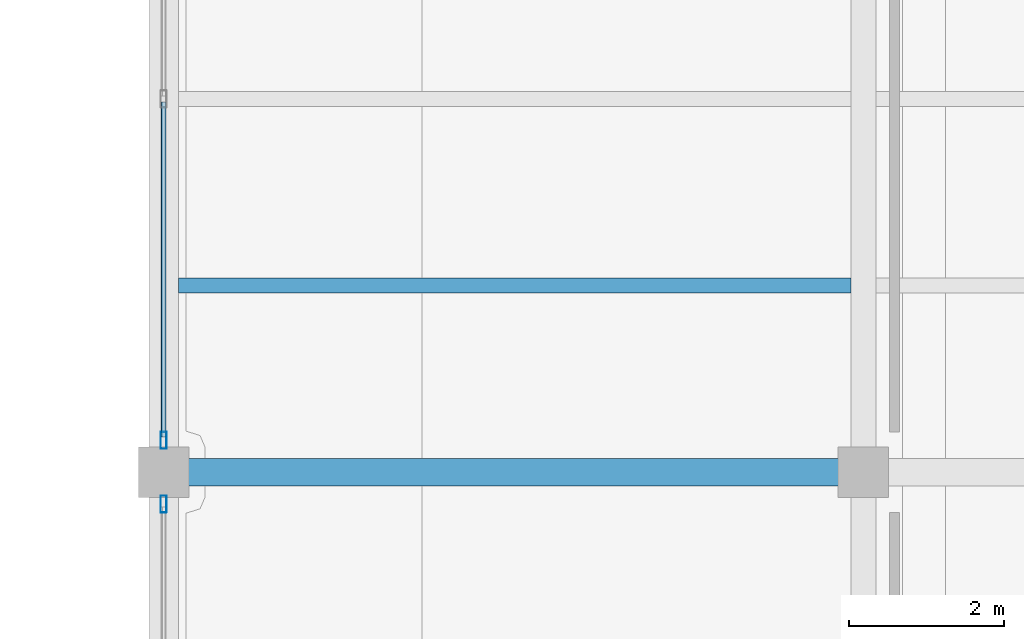
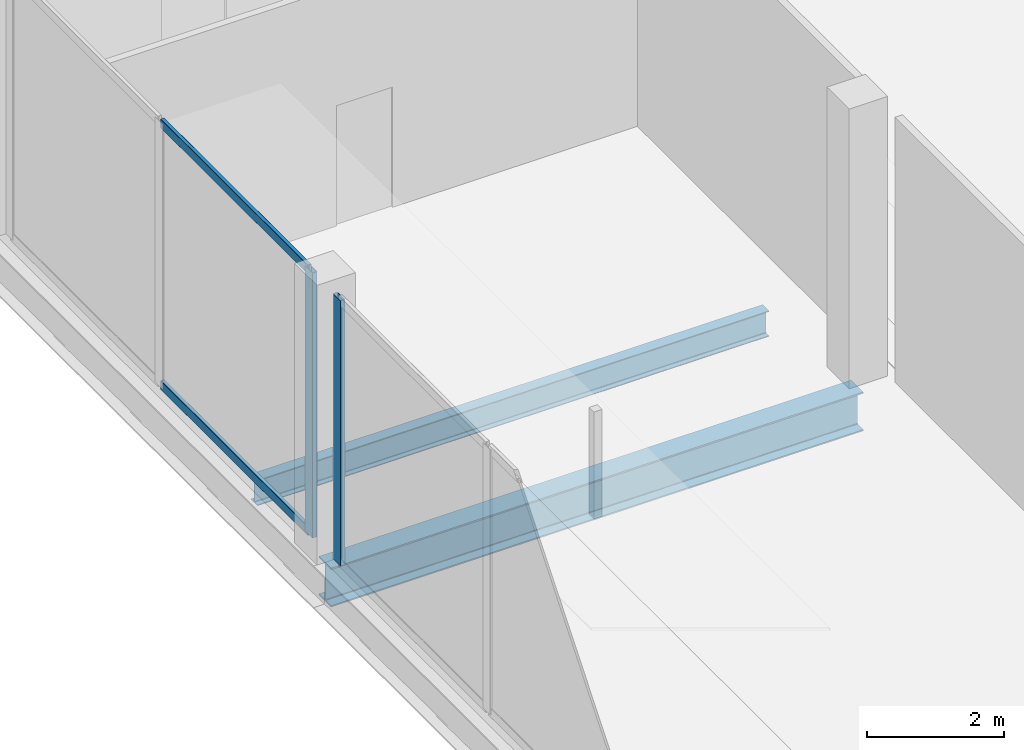
# One storey, part 5 of 46: 4 members, 2 beams, 2 elements without a shape of their own.
"""IFC4 building model written with IfcOpenShell, lengths in metres."""

from ifc_helpers import new_model, si_unit, direction, frame, origin, origin_2d, place, context, subcontext, project, spatial, hollow_rectangle, i_section, extrude, material, layer, layer_set, material_profile, profile_set, type_object, element, aggregate, save


model = new_model("IFC4")

# Units and contexts
model_context = context("Model", 3, precision=1e-05, world=origin(), true_north=direction((0.0, 1.0)))
body_context = subcontext(model_context, "Body", "Model", "MODEL_VIEW")
ifc_project = project(units=[si_unit("LENGTHUNIT", "METRE"), si_unit("AREAUNIT", "SQUARE_METRE"), si_unit("VOLUMEUNIT", "CUBIC_METRE"), si_unit("PLANEANGLEUNIT", "RADIAN"), si_unit("MASSUNIT", "GRAM", prefix="KILO")], contexts=[model_context])

# Site, building, storey
site_placement = place(None, origin())
site = spatial("IfcSite", under=ifc_project, at=site_placement, CompositionType="ELEMENT")
building_placement = place(site_placement, origin())
building = spatial("IfcBuilding", under=site, at=building_placement, Name="Qorvath Tower", CompositionType="ELEMENT")
storey_placement = place(building_placement, frame((0.0, 0.0, 17.0)))
storey = spatial("IfcBuildingStorey", under=building, at=storey_placement, Name="L03", CompositionType="ELEMENT", Elevation=17.0)

# Beams
ifc_material_1 = material(Name="Steel ASTM A992 Grade 50", Category="steel")
ifc_material_profile_1 = material_profile(ifc_material_1, i_section(OverallWidth=0.35595703125, OverallDepth=0.696044921875, WebThickness=0.015380859375, FlangeThickness=0.02490234375, FilletRadius=0.01806640625, at=origin_2d()), Name="W27x146")
ifc_profile_set_1 = profile_set([ifc_material_profile_1], Name="Steel ASTM A992 Grade 50")
beam_type_1 = type_object("IfcBeamType", Name="BM-FG4", PredefinedType="BEAM", material=ifc_profile_set_1)
beam_1_placement = place(storey_placement, frame((32.39990234375, -9.60009765625, -0.60791015625), z_axis=(1.0, 0.0, 0.0), x_axis=(0.0, 1.0, 0.0)))
element("IfcBeam", 1, at=beam_1_placement, inside=storey, type_object=beam_type_1, Name="Library E-W Girder L03-4-1", PredefinedType="BEAM", context=body_context, shape_type="SweptSolid", body=[
    extrude(i_section(OverallWidth=0.35595703125, OverallDepth=0.696044921875, WebThickness=0.015380859375, FlangeThickness=0.02490234375, FilletRadius=0.01806640625, at=origin_2d()), origin(), (0.0, 0.0, 1.0), 9.0),
])
ifc_material_2 = material(Name="Steel ASTM A992 Grade 50", Category="steel")
ifc_material_profile_2 = material_profile(ifc_material_2, i_section(OverallWidth=0.18994140625, OverallDepth=0.45703125, WebThickness=0.009033203125, FlangeThickness=0.014404296875, FilletRadius=0.011962890625, at=origin_2d()), Name="W18x50")
ifc_profile_set_2 = profile_set([ifc_material_profile_2], Name="Steel ASTM A992 Grade 50")
beam_type_2 = type_object("IfcBeamType", Name="BM-FJ2", PredefinedType="JOIST", material=ifc_profile_set_2)
beam_2_placement = place(storey_placement, frame((32.58837890625, -7.199951171875, -0.488525390625), z_axis=(1.0, 0.0, 0.0), x_axis=(0.0, 1.0, 0.0)))
element("IfcBeam", 2, at=beam_2_placement, inside=storey, type_object=beam_type_2, Name="Library Stack Joist L03-4.1-1", PredefinedType="JOIST", context=body_context, shape_type="SweptSolid", body=[
    extrude(i_section(OverallWidth=0.18994140625, OverallDepth=0.45703125, WebThickness=0.009033203125, FlangeThickness=0.014404296875, FilletRadius=0.011962890625, at=origin_2d()), origin(), (0.0, 0.0, 1.0), 8.651123046875),
])

# Curtain wall, member
ifc_material_3 = material(Name="Anodised aluminium and triple low-E glass", Category="aluminium")
ifc_layer = layer(ifc_material_3, 0.179931640625)
ifc_layer_set = layer_set([ifc_layer], Name="CW-SYS-6")
curtain_wall_type = type_object("IfcCurtainWallType", Name="CW-SYS-6", PredefinedType="NOTDEFINED", material=ifc_layer_set)
curtain_wall_1_placement = place(storey_placement, origin())
curtain_wall_1 = element("IfcCurtainWall", 3, at=curtain_wall_1_placement, inside=storey, type_object=curtain_wall_type, Name="Curtain Wall CW-6 CW-LIB-W-L03-3", PredefinedType="NOTDEFINED")
ifc_material_4 = material(Name="Anodised aluminium 6063-T6", Category="aluminium")
ifc_material_profile_3 = material_profile(ifc_material_4, hollow_rectangle(XDim=0.080078125, YDim=0.219970703125, WallThickness=0.00439453125, InnerFilletRadius=0.00439453125, OuterFilletRadius=0.009033203125, at=origin_2d()), Name="CWM LIB 220x80")
ifc_profile_set_3 = profile_set([ifc_material_profile_3], Name="Anodised aluminium 6063-T6")
member_type_1 = type_object("IfcMemberType", Name="CWM-LIB", PredefinedType="MULLION", material=ifc_profile_set_3)
member_1_placement = place(storey_placement, frame((32.39990234375, -10.010009765625, 0.0), z_axis=(0.0, 0.0, 1.0), x_axis=(-1.0, 0.0, 0.0)))
member_1 = element("IfcMember", 4, at=member_1_placement, type_object=member_type_1, Name="CW-6 mullion 3", PredefinedType="MULLION", context=body_context, shape_type="SweptSolid", body=[
    extrude(hollow_rectangle(XDim=0.080078125, YDim=0.219970703125, WallThickness=0.00439453125, InnerFilletRadius=0.00439453125, OuterFilletRadius=0.009033203125, at=origin_2d()), origin(), (0.0, 0.0, 1.0), 4.739990234375),
])
aggregate(curtain_wall_1, [member_1])

# Curtain wall, members
curtain_wall_2_placement = place(storey_placement, origin())
curtain_wall_2 = element("IfcCurtainWall", 5, at=curtain_wall_2_placement, inside=storey, type_object=curtain_wall_type, Name="Curtain Wall CW-6 CW-LIB-W-L03-4", PredefinedType="NOTDEFINED")
member_2_placement = place(storey_placement, frame((32.39990234375, -9.18994140625, 0.0), z_axis=(0.0, 0.0, 1.0), x_axis=(-1.0, 0.0, 0.0)))
member_2 = element("IfcMember", 6, at=member_2_placement, type_object=member_type_1, Name="CW-6 mullion 1", PredefinedType="MULLION", context=body_context, shape_type="SweptSolid", body=[
    extrude(hollow_rectangle(XDim=0.080078125, YDim=0.219970703125, WallThickness=0.00439453125, InnerFilletRadius=0.00439453125, OuterFilletRadius=0.009033203125, at=origin_2d()), origin(), (0.0, 0.0, 1.0), 4.739990234375),
])
ifc_material_5 = material(Name="Anodised aluminium 6063-T6", Category="aluminium")
ifc_material_profile_4 = material_profile(ifc_material_5, hollow_rectangle(XDim=0.06494140625, YDim=0.159912109375, WallThickness=0.00341796875, InnerFilletRadius=0.00341796875, OuterFilletRadius=0.007080078125, at=origin_2d()), Name="CWT 160x65")
ifc_profile_set_4 = profile_set([ifc_material_profile_4], Name="Anodised aluminium 6063-T6")
member_type_2 = type_object("IfcMemberType", Name="CWT-160", PredefinedType="USERDEFINED", material=ifc_profile_set_4)
member_3_placement = place(storey_placement, frame((32.39990234375, -9.14990234375, 0.032470703125), z_axis=(0.0, 1.0, 0.0), x_axis=(-1.0, 0.0, 0.0)))
member_3 = element("IfcMember", 7, at=member_3_placement, type_object=member_type_2, Name="CW-6 transom 1.1", ObjectType="TRANSOM", PredefinedType="USERDEFINED", context=body_context, shape_type="SweptSolid", body=[
    extrude(hollow_rectangle(XDim=0.06494140625, YDim=0.159912109375, WallThickness=0.00341796875, InnerFilletRadius=0.00341796875, OuterFilletRadius=0.007080078125, at=origin_2d()), origin(), (0.0, 0.0, 1.0), 4.309814453125),
])
member_4_placement = place(storey_placement, frame((32.39990234375, -9.14990234375, 4.70751953125), z_axis=(0.0, 1.0, 0.0), x_axis=(-1.0, 0.0, 0.0)))
member_4 = element("IfcMember", 8, at=member_4_placement, type_object=member_type_2, Name="CW-6 transom 1.2", ObjectType="TRANSOM", PredefinedType="USERDEFINED", context=body_context, shape_type="SweptSolid", body=[
    extrude(hollow_rectangle(XDim=0.06494140625, YDim=0.159912109375, WallThickness=0.00341796875, InnerFilletRadius=0.00341796875, OuterFilletRadius=0.007080078125, at=origin_2d()), origin(), (0.0, 0.0, 1.0), 4.309814453125),
])
aggregate(curtain_wall_2, [member_2, member_3, member_4])

save(model, "model.ifc")
